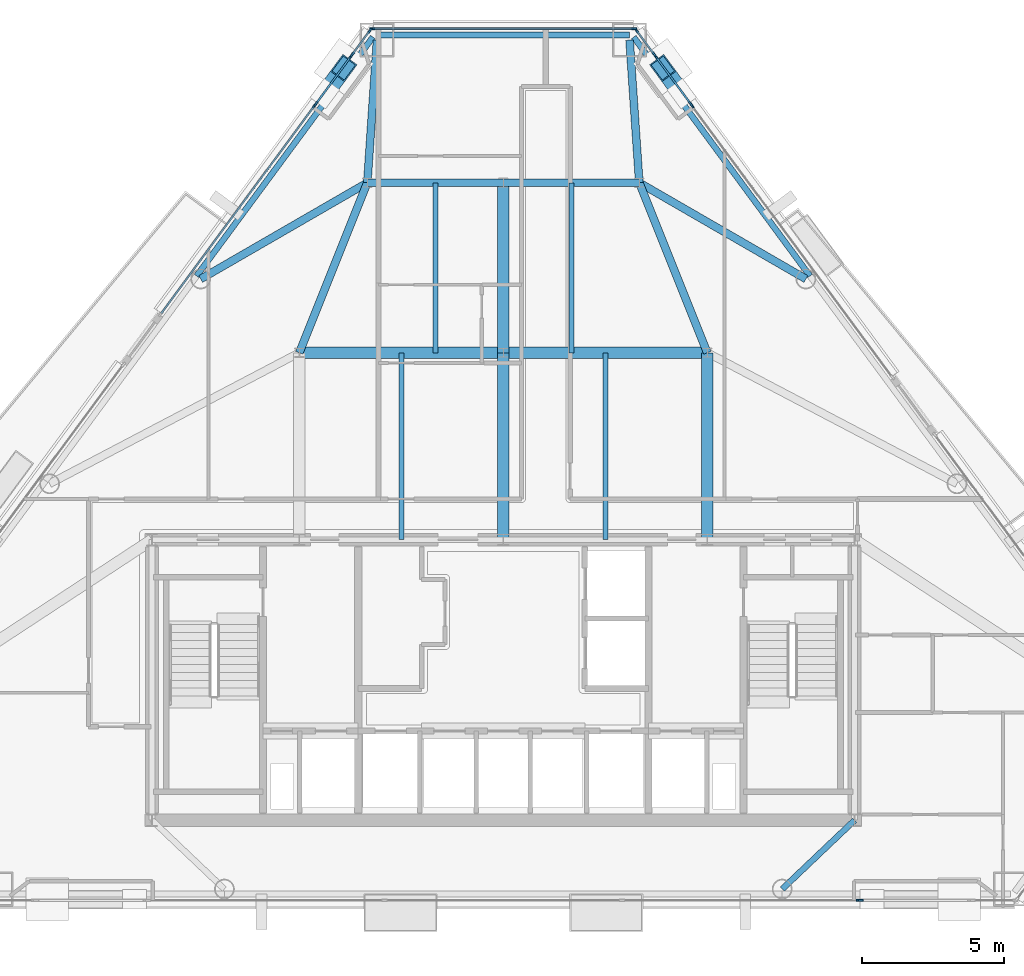
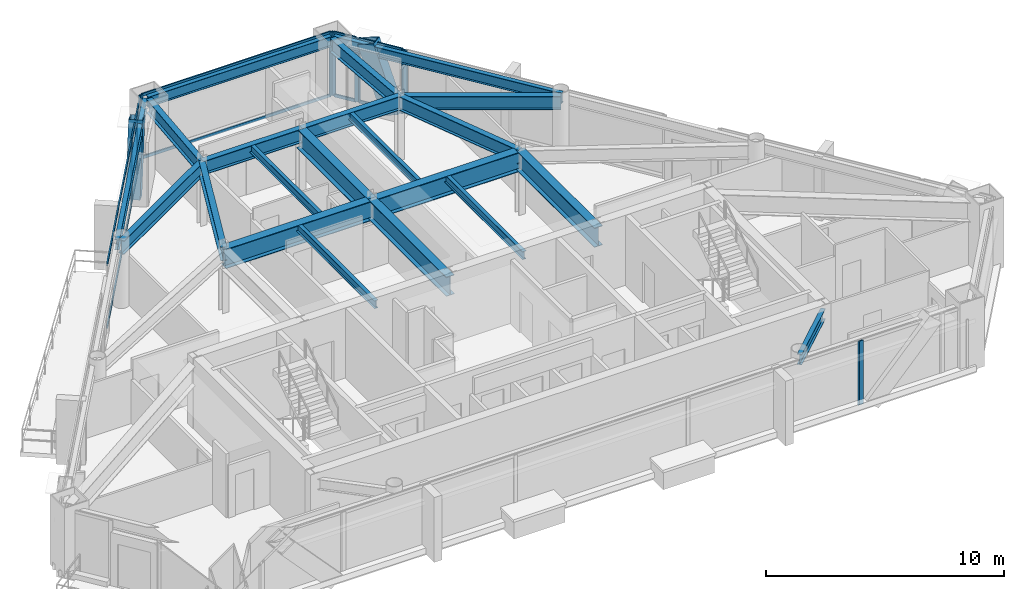
# One storey, part 5 of 12: 28 members, 21 beams, 9 elements without a shape of their own.
"""IFC4 building model written with IfcOpenShell, lengths in metres."""

from ifc_helpers import new_model, si_unit, direction, frame, origin, origin_2d, place, context, subcontext, project, spatial, rectangle, hollow_rectangle, i_section, extrude, material, layer, layer_set, material_profile, profile_set, type_object, element, aggregate, save


model = new_model("IFC4")

# Units and contexts
model_context = context("Model", 3, precision=1e-05, world=origin(), true_north=direction((0.0, 1.0)))
body_context = subcontext(model_context, "Body", "Model", "MODEL_VIEW")
ifc_project = project(units=[si_unit("LENGTHUNIT", "METRE"), si_unit("AREAUNIT", "SQUARE_METRE"), si_unit("VOLUMEUNIT", "CUBIC_METRE"), si_unit("PLANEANGLEUNIT", "RADIAN"), si_unit("MASSUNIT", "GRAM", prefix="KILO")], contexts=[model_context])

# Site, building, storey
site_placement = place(None, origin())
site = spatial("IfcSite", under=ifc_project, at=site_placement, CompositionType="ELEMENT")
building_placement = place(site_placement, origin())
building = spatial("IfcBuilding", under=site, at=building_placement, Name="Talgorran Terracotta Tower", CompositionType="ELEMENT")
storey_placement = place(building_placement, frame((0.0, 0.0, 165.300048828125)))
storey = spatial("IfcBuildingStorey", under=building, at=storey_placement, Name="L43", CompositionType="ELEMENT", Elevation=165.300048828125)

# Beams
ifc_material_1 = material(Name="Steel Grade 350 (350L0)", Category="steel")
ifc_material_profile_1 = material_profile(ifc_material_1, i_section(OverallWidth=0.39990234375, OverallDepth=1.0, WebThickness=0.01611328125, FlangeThickness=0.031005859375, at=origin_2d()), Name="1000WB296")
ifc_profile_set_1 = profile_set([ifc_material_profile_1], Name="Steel Grade 350 (350L0)")
beam_type_1 = type_object("IfcBeamType", Name="BM_1000WB296", PredefinedType="BEAM", material=ifc_profile_set_1)
for number, where, z_axis, x_axis, name in (
    (1, (0.0, -4.199951171875, 2.780029296875), (0.0, 1.0, 0.0), (-1.0, 0.0, 0.0), "L43 Floor Girder G02"),
    (2, (7.199951171875, -4.199951171875, 2.780029296875), (0.0, 1.0, 0.0), (-1.0, 0.0, 0.0), "L43 Floor Girder G03"),
):
    element("IfcBeam", number, at=place(storey_placement, frame(where, z_axis=z_axis, x_axis=x_axis)), inside=storey, type_object=beam_type_1, Name=name, PredefinedType="BEAM", context=body_context, shape_type="SweptSolid", body=[
        extrude(i_section(OverallWidth=0.39990234375, OverallDepth=1.0, WebThickness=0.01611328125, FlangeThickness=0.031005859375, at=origin_2d()), origin(), (0.0, 0.0, 1.0), 6.599853515625),
    ])
for number, where, z_axis, x_axis, name in (
    (3, (-7.199951171875, 2.39990234375, 2.780029296875), (1.0, 0.0, 0.0), (0.0, 1.0, 0.0), "L43 Floor Girder G04"),
    (4, (0.0, 2.39990234375, 2.780029296875), (1.0, 0.0, 0.0), (0.0, 1.0, 0.0), "L43 Floor Girder G05"),
):
    element("IfcBeam", number, at=place(storey_placement, frame(where, z_axis=z_axis, x_axis=x_axis)), inside=storey, type_object=beam_type_1, Name=name, PredefinedType="BEAM", context=body_context, shape_type="SweptSolid", body=[
        extrude(i_section(OverallWidth=0.39990234375, OverallDepth=1.0, WebThickness=0.01611328125, FlangeThickness=0.031005859375, at=origin_2d()), origin(), (0.0, 0.0, 1.0), 7.199951171875),
    ])
beam_1_placement = place(storey_placement, frame((0.0, 2.39990234375, 2.780029296875), z_axis=(0.0, 1.0, 0.0), x_axis=(-1.0, 0.0, 0.0)))
element("IfcBeam", 5, at=beam_1_placement, inside=storey, type_object=beam_type_1, Name="L43 Floor Girder G09", PredefinedType="BEAM", context=body_context, shape_type="SweptSolid", body=[
    extrude(i_section(OverallWidth=0.39990234375, OverallDepth=1.0, WebThickness=0.01611328125, FlangeThickness=0.031005859375, at=origin_2d()), origin(), (0.0, 0.0, 1.0), 6.0),
])
ifc_material_2 = material(Name="Steel S355 (300PLUS)", Category="steel")
ifc_material_profile_2 = material_profile(ifc_material_2, i_section(OverallWidth=0.27490234375, OverallDepth=0.7080078125, WebThickness=0.011962890625, FlangeThickness=0.02490234375, at=origin_2d()), Name="700WB173")
ifc_profile_set_2 = profile_set([ifc_material_profile_2], Name="Steel S355 (300PLUS)")
beam_type_2 = type_object("IfcBeamType", Name="BM_700WB173", PredefinedType="BEAM", material=ifc_profile_set_2)
for number, where, z_axis, x_axis, name in (
    (6, (-7.199951171875, 2.39990234375, 2.926025390625), (0.371377648723, 0.928481901832, 0.0), (-0.928481901832, 0.371377648723, 0.0), "L43 Floor Girder G08"),
    (7, (7.199951171875, 2.39990234375, 2.926025390625), (-0.371377648723, 0.928481901832, 0.0), (-0.928481901832, -0.371377648723, 0.0), "L43 Floor Girder G10"),
):
    element("IfcBeam", number, at=place(storey_placement, frame(where, z_axis=z_axis, x_axis=x_axis)), inside=storey, type_object=beam_type_2, Name=name, PredefinedType="BEAM", context=body_context, shape_type="SweptSolid", body=[
        extrude(i_section(OverallWidth=0.27490234375, OverallDepth=0.7080078125, WebThickness=0.011962890625, FlangeThickness=0.02490234375, at=origin_2d()), origin(), (0.0, 0.0, 1.0), 6.462158203125),
    ])
for number, where, z_axis, x_axis, name in (
    (8, (-4.800048828125, 8.39990234375, 2.926025390625), (1.0, 0.0, 0.0), (0.0, 1.0, 0.0), "L43 Floor Girder G11"),
    (9, (0.0, 8.39990234375, 2.926025390625), (1.0, 0.0, 0.0), (0.0, 1.0, 0.0), "L43 Floor Girder G12"),
):
    element("IfcBeam", number, at=place(storey_placement, frame(where, z_axis=z_axis, x_axis=x_axis)), inside=storey, type_object=beam_type_2, Name=name, PredefinedType="BEAM", context=body_context, shape_type="SweptSolid", body=[
        extrude(i_section(OverallWidth=0.27490234375, OverallDepth=0.7080078125, WebThickness=0.011962890625, FlangeThickness=0.02490234375, at=origin_2d()), origin(), (0.0, 0.0, 1.0), 4.800048828125),
    ])
for number, where, z_axis, x_axis, name in (
    (10, (-4.800048828125, 8.39990234375, 2.926025390625), (-0.865887916747, -0.500238058959, 0.0), (0.500238058959, -0.865887916747, 0.0), "L43 Floor Girder G13"),
    (11, (4.800048828125, 8.39990234375, 2.926025390625), (0.865887916747, -0.500238058959, 0.0), (0.500238058959, 0.865887916747, 0.0), "L43 Floor Girder G14"),
):
    element("IfcBeam", number, at=place(storey_placement, frame(where, z_axis=z_axis, x_axis=x_axis)), inside=storey, type_object=beam_type_2, Name=name, PredefinedType="BEAM", context=body_context, shape_type="SweptSolid", body=[
        extrude(i_section(OverallWidth=0.27490234375, OverallDepth=0.7080078125, WebThickness=0.011962890625, FlangeThickness=0.02490234375, at=origin_2d()), origin(), (0.0, 0.0, 1.0), 6.789794921875),
    ])
for number, where, z_axis, x_axis, name in (
    (12, (-4.800048828125, 8.39990234375, 2.926025390625), (0.067973543266, 0.99768712401, 0.0), (-0.99768712401, 0.067973543266, 0.0), "L43 Floor Girder G15"),
    (13, (4.800048828125, 8.39990234375, 2.926025390625), (-0.067973543266, 0.99768712401, 0.0), (-0.99768712401, -0.067973543266, 0.0), "L43 Floor Girder G16"),
):
    element("IfcBeam", number, at=place(storey_placement, frame(where, z_axis=z_axis, x_axis=x_axis)), inside=storey, type_object=beam_type_2, Name=name, PredefinedType="BEAM", context=body_context, shape_type="SweptSolid", body=[
        extrude(i_section(OverallWidth=0.27490234375, OverallDepth=0.7080078125, WebThickness=0.011962890625, FlangeThickness=0.02490234375, at=origin_2d()), origin(), (0.0, 0.0, 1.0), 5.04638671875),
    ])
ifc_material_profile_3 = material_profile(ifc_material_2, i_section(OverallWidth=0.177734375, OverallDepth=0.406494140625, WebThickness=0.0078125, FlangeThickness=0.0126953125, at=origin_2d()), Name="410UB59.7")
ifc_profile_set_3 = profile_set([ifc_material_profile_3], Name="Steel S355 (300PLUS)")
beam_type_3 = type_object("IfcBeamType", Name="BM_JS_410UB60", PredefinedType="JOIST", material=ifc_profile_set_3)
for number, where, z_axis, x_axis, name in (
    (14, (-3.60009765625, -4.199951171875, 3.07666015625), (0.0, 1.0, 0.0), (-1.0, 0.0, 0.0), "L43 Secondary Joist J01"),
    (15, (3.60009765625, -4.199951171875, 3.07666015625), (0.0, 1.0, 0.0), (-1.0, 0.0, 0.0), "L43 Secondary Joist J02"),
):
    element("IfcBeam", number, at=place(storey_placement, frame(where, z_axis=z_axis, x_axis=x_axis)), inside=storey, type_object=beam_type_3, Name=name, PredefinedType="JOIST", context=body_context, shape_type="SweptSolid", body=[
        extrude(i_section(OverallWidth=0.177734375, OverallDepth=0.406494140625, WebThickness=0.0078125, FlangeThickness=0.0126953125, at=origin_2d()), origin(), (0.0, 0.0, 1.0), 6.599853515625),
    ])
for number, where, z_axis, x_axis, name in (
    (16, (-2.39990234375, 2.39990234375, 3.07666015625), (0.0, 1.0, 0.0), (-1.0, 0.0, 0.0), "L43 Secondary Joist J03"),
    (17, (2.39990234375, 2.39990234375, 3.07666015625), (0.0, 1.0, 0.0), (-1.0, 0.0, 0.0), "L43 Secondary Joist J04"),
):
    element("IfcBeam", number, at=place(storey_placement, frame(where, z_axis=z_axis, x_axis=x_axis)), inside=storey, type_object=beam_type_3, Name=name, PredefinedType="JOIST", context=body_context, shape_type="SweptSolid", body=[
        extrude(i_section(OverallWidth=0.177734375, OverallDepth=0.406494140625, WebThickness=0.0078125, FlangeThickness=0.0126953125, at=origin_2d()), origin(), (0.0, 0.0, 1.0), 6.0),
    ])
ifc_material_profile_4 = material_profile(ifc_material_2, i_section(OverallWidth=0.209228515625, OverallDepth=0.532958984375, WebThickness=0.01025390625, FlangeThickness=0.015625, at=origin_2d()), Name="530UB92.4")
ifc_profile_set_4 = profile_set([ifc_material_profile_4], Name="Steel S355 (300PLUS)")
beam_type_4 = type_object("IfcBeamType", Name="BM_SP_530UB92", PredefinedType="SPANDREL", material=ifc_profile_set_4)
beam_2_placement = place(storey_placement, frame((10.823974609375, 5.1103515625, 3.013427734375), z_axis=(-0.593801302641, 0.804611715663, 0.0), x_axis=(-0.804611715663, -0.593801302641, 0.0)))
element("IfcBeam", 18, at=beam_2_placement, inside=storey, type_object=beam_type_4, Name="L43 Perimeter Spandrel Beam FC4-MC5", PredefinedType="SPANDREL", context=body_context, shape_type="SweptSolid", body=[
    extrude(i_section(OverallWidth=0.209228515625, OverallDepth=0.532958984375, WebThickness=0.01025390625, FlangeThickness=0.015625, at=origin_2d()), origin(), (0.0, 0.0, 1.0), 10.478515625),
])
beam_3_placement = place(storey_placement, frame((4.45703125, 13.614501953125, 3.013427734375), z_axis=(-1.0, 0.0, 0.0), x_axis=(0.0, -1.0, 0.0)))
element("IfcBeam", 19, at=beam_3_placement, inside=storey, type_object=beam_type_4, Name="L43 Perimeter Spandrel Beam MC5-MC6", PredefinedType="SPANDREL", context=body_context, shape_type="SweptSolid", body=[
    extrude(i_section(OverallWidth=0.209228515625, OverallDepth=0.532958984375, WebThickness=0.01025390625, FlangeThickness=0.015625, at=origin_2d()), origin(), (0.0, 0.0, 1.0), 8.9140625),
])
beam_4_placement = place(storey_placement, frame((-4.601806640625, 13.54150390625, 3.013427734375), z_axis=(-0.593801302641, -0.804611715663, 0.0), x_axis=(0.804611715663, -0.593801302641, 0.0)))
element("IfcBeam", 20, at=beam_4_placement, inside=storey, type_object=beam_type_4, Name="L43 Perimeter Spandrel Beam MC6-FC5", PredefinedType="SPANDREL", context=body_context, shape_type="SweptSolid", body=[
    extrude(i_section(OverallWidth=0.209228515625, OverallDepth=0.532958984375, WebThickness=0.01025390625, FlangeThickness=0.015625, at=origin_2d()), origin(), (0.0, 0.0, 1.0), 10.478515625),
])
beam_5_placement = place(storey_placement, frame((12.39990234375, -14.10009765625, 3.013427734375), z_axis=(-0.724741849636, -0.689020501426, 0.0), x_axis=(0.689020501426, -0.724741849636, 0.0)))
element("IfcBeam", 21, at=beam_5_placement, inside=storey, type_object=beam_type_4, Name="L43 South-East Core Tie Beam", PredefinedType="SPANDREL", context=body_context, shape_type="SweptSolid", body=[
    extrude(i_section(OverallWidth=0.209228515625, OverallDepth=0.532958984375, WebThickness=0.01025390625, FlangeThickness=0.015625, at=origin_2d()), origin(), (0.0, 0.0, 1.0), 3.526611328125),
])

# Members
ifc_material_profile_5 = material_profile(ifc_material_1, hollow_rectangle(XDim=0.6201171875, YDim=0.780029296875, WallThickness=0.0419921875, at=origin_2d()), Name="WBOX780X620X42")
ifc_profile_set_5 = profile_set([ifc_material_profile_5], Name="Steel Grade 350 (350L0)")
member_type_1 = type_object("IfcMemberType", Name="MB_MEGA_780", PredefinedType="BRACE", material=ifc_profile_set_5)
for number, where, z_axis, x_axis, name in (
    (22, (6.298583984375, 11.54541015625, -0.025146484375), (-0.189910857035, 0.257359080217, 0.947470405981), (-0.80464078172, -0.59376191558, 0.0), "L43 Exterior Face Mega-Brace MB-2 (NEU)"),
    (23, (-6.298583984375, 11.54541015625, -0.025146484375), (0.189910857035, 0.257359080217, 0.947470405981), (-0.80464078172, 0.59376191558, 0.0), "L43 Exterior Face Mega-Brace MB-2 (NWU)"),
):
    element("IfcMember", number, at=place(storey_placement, frame(where, z_axis=z_axis, x_axis=x_axis)), inside=storey, type_object=member_type_1, Name=name, PredefinedType="BRACE", context=body_context, shape_type="SweptSolid", body=[
        extrude(hollow_rectangle(XDim=0.6201171875, YDim=0.780029296875, WallThickness=0.0419921875, at=origin_2d()), origin(), (0.0, 0.0, 1.0), 3.5146484375),
    ])

# Curtain wall, member
ifc_material_3 = material(Name="Unitised Low-E Double Glazing", Category="glass")
ifc_layer = layer(ifc_material_3, 0.199951171875, Name="CW_SYS2_RES_LOW")
ifc_layer_set = layer_set([ifc_layer], Name="Unitised Low-E Double Glazing")
curtain_wall_type = type_object("IfcCurtainWallType", Name="CW_SYS2_RES_LOW", PredefinedType="NOTDEFINED", material=ifc_layer_set)
curtain_wall_1_placement = place(storey_placement, origin())
curtain_wall_1 = element("IfcCurtainWall", 24, at=curtain_wall_1_placement, inside=storey, type_object=curtain_wall_type, Name="CW-L43-F1C", PredefinedType="NOTDEFINED")
ifc_material_4 = material(Name="Architectural Aluminium 6063-T6", Category="aluminium")
ifc_material_profile_6 = material_profile(ifc_material_4, rectangle(XDim=0.06494140625, YDim=0.18505859375, at=origin_2d()), Name="CWM65X185")
ifc_profile_set_6 = profile_set([ifc_material_profile_6], Name="Architectural Aluminium 6063-T6")
member_type_2 = type_object("IfcMemberType", Name="MUL_65X185", PredefinedType="MULLION", material=ifc_profile_set_6)
member_1_placement = place(storey_placement, frame((12.54345703125, -16.929931640625, 0.0), z_axis=(0.0, 0.0, 1.0), x_axis=(0.0, 1.0, 0.0)))
member_1 = element("IfcMember", 25, at=member_1_placement, type_object=member_type_2, Name="CW-L43-1C mullion 4", PredefinedType="MULLION", context=body_context, shape_type="SweptSolid", body=[
    extrude(rectangle(XDim=0.06494140625, YDim=0.18505859375, at=origin_2d()), origin(), (0.0, 0.0, 1.0), 3.280029296875),
])
aggregate(curtain_wall_1, [member_1])

curtain_wall_2_placement = place(storey_placement, origin())
curtain_wall_2 = element("IfcCurtainWall", 26, at=curtain_wall_2_placement, inside=storey, type_object=curtain_wall_type, Name="CW-L43-F1D", PredefinedType="NOTDEFINED")
member_2_placement = place(storey_placement, frame((12.618408203125, -16.929931640625, 0.0), z_axis=(0.0, 0.0, 1.0), x_axis=(0.0, 1.0, 0.0)))
member_2 = element("IfcMember", 27, at=member_2_placement, type_object=member_type_2, Name="CW-L43-1D mullion 1", PredefinedType="MULLION", context=body_context, shape_type="SweptSolid", body=[
    extrude(rectangle(XDim=0.06494140625, YDim=0.18505859375, at=origin_2d()), origin(), (0.0, 0.0, 1.0), 3.280029296875),
])
aggregate(curtain_wall_2, [member_2])

curtain_wall_3_placement = place(storey_placement, origin())
curtain_wall_3 = element("IfcCurtainWall", 28, at=curtain_wall_3_placement, inside=storey, type_object=curtain_wall_type, Name="CW-L43-F41", PredefinedType="NOTDEFINED")
member_3_placement = place(storey_placement, frame((6.66162109375, 11.120849609375, 0.0), z_axis=(0.0, 0.0, 1.0), x_axis=(-0.804624135428, -0.593784473262, 0.0)))
member_3 = element("IfcMember", 29, at=member_3_placement, type_object=member_type_2, Name="CW-L43-41 mullion 2", PredefinedType="MULLION", context=body_context, shape_type="SweptSolid", body=[
    extrude(rectangle(XDim=0.06494140625, YDim=0.18505859375, at=origin_2d()), origin(), (0.0, 0.0, 1.0), 3.280029296875),
])
aggregate(curtain_wall_3, [member_3])

# Curtain wall, members
curtain_wall_4_placement = place(storey_placement, origin())
curtain_wall_4 = element("IfcCurtainWall", 30, at=curtain_wall_4_placement, inside=storey, type_object=curtain_wall_type, Name="CW-L43-F41B", PredefinedType="NOTDEFINED")
member_4_placement = place(storey_placement, frame((6.6171875, 11.18115234375, 0.0), z_axis=(0.0, 0.0, 1.0), x_axis=(-0.804623738019, -0.593785011781, 0.0)))
member_4 = element("IfcMember", 31, at=member_4_placement, type_object=member_type_2, Name="CW-L43-41B mullion 1", PredefinedType="MULLION", context=body_context, shape_type="SweptSolid", body=[
    extrude(rectangle(XDim=0.06494140625, YDim=0.18505859375, at=origin_2d()), origin(), (0.0, 0.0, 1.0), 3.280029296875),
])
member_5_placement = place(storey_placement, frame((5.377197265625, 12.861572265625, 0.0), z_axis=(0.0, 0.0, 1.0), x_axis=(-0.804623738019, -0.593785011781, 0.0)))
member_5 = element("IfcMember", 32, at=member_5_placement, type_object=member_type_2, Name="CW-L43-41B mullion 2", PredefinedType="MULLION", context=body_context, shape_type="SweptSolid", body=[
    extrude(rectangle(XDim=0.06494140625, YDim=0.18505859375, at=origin_2d()), origin(), (0.0, 0.0, 1.0), 3.280029296875),
])

curtain_wall_5_placement = place(storey_placement, origin())
curtain_wall_5 = element("IfcCurtainWall", 33, at=curtain_wall_5_placement, inside=storey, type_object=curtain_wall_type, Name="CW-L43-F41C", PredefinedType="NOTDEFINED")
member_6_placement = place(storey_placement, frame((5.33251953125, 12.921875, 0.0), z_axis=(0.0, 0.0, 1.0), x_axis=(-0.804629601287, -0.593777066526, 0.0)))
member_6 = element("IfcMember", 34, at=member_6_placement, type_object=member_type_2, Name="CW-L43-41C mullion 1", PredefinedType="MULLION", context=body_context, shape_type="SweptSolid", body=[
    extrude(rectangle(XDim=0.06494140625, YDim=0.18505859375, at=origin_2d()), origin(), (0.0, 0.0, 1.0), 3.280029296875),
])
member_7_placement = place(storey_placement, frame((4.7021484375, 13.7763671875, 0.0), z_axis=(0.0, 0.0, 1.0), x_axis=(-0.804629601287, -0.593777066526, 0.0)))
member_7 = element("IfcMember", 35, at=member_7_placement, type_object=member_type_2, Name="CW-L43-41C mullion 2", PredefinedType="MULLION", context=body_context, shape_type="SweptSolid", body=[
    extrude(rectangle(XDim=0.06494140625, YDim=0.18505859375, at=origin_2d()), origin(), (0.0, 0.0, 1.0), 3.280029296875),
])

curtain_wall_6_placement = place(storey_placement, origin())
curtain_wall_6 = element("IfcCurtainWall", 36, at=curtain_wall_6_placement, inside=storey, type_object=curtain_wall_type, Name="CW-L43-F4", PredefinedType="NOTDEFINED")
member_8_placement = place(storey_placement, frame((4.62646484375, 13.834716796875, 0.0), z_axis=(0.0, 0.0, 1.0), x_axis=(0.0, -1.0, 0.0)))
member_8 = element("IfcMember", 37, at=member_8_placement, type_object=member_type_2, Name="CW-L43-4 mullion 1", PredefinedType="MULLION", context=body_context, shape_type="SweptSolid", body=[
    extrude(rectangle(XDim=0.06494140625, YDim=0.18505859375, at=origin_2d()), origin(), (0.0, 0.0, 1.0), 3.280029296875),
])
member_9_placement = place(storey_placement, frame((-4.62646484375, 13.834716796875, 0.0), z_axis=(0.0, 0.0, 1.0), x_axis=(0.0, -1.0, 0.0)))
member_9 = element("IfcMember", 38, at=member_9_placement, type_object=member_type_2, Name="CW-L43-4 mullion 2", PredefinedType="MULLION", context=body_context, shape_type="SweptSolid", body=[
    extrude(rectangle(XDim=0.06494140625, YDim=0.18505859375, at=origin_2d()), origin(), (0.0, 0.0, 1.0), 3.280029296875),
])

curtain_wall_7_placement = place(storey_placement, origin())
curtain_wall_7 = element("IfcCurtainWall", 39, at=curtain_wall_7_placement, inside=storey, type_object=curtain_wall_type, Name="CW-L43-F60", PredefinedType="NOTDEFINED")
member_10_placement = place(storey_placement, frame((-4.7021484375, 13.7763671875, 0.0), z_axis=(0.0, 0.0, 1.0), x_axis=(0.804629601287, -0.593777066526, 0.0)))
member_10 = element("IfcMember", 40, at=member_10_placement, type_object=member_type_2, Name="CW-L43-60 mullion 1", PredefinedType="MULLION", context=body_context, shape_type="SweptSolid", body=[
    extrude(rectangle(XDim=0.06494140625, YDim=0.18505859375, at=origin_2d()), origin(), (0.0, 0.0, 1.0), 3.280029296875),
])
member_11_placement = place(storey_placement, frame((-5.33251953125, 12.921875, 0.0), z_axis=(0.0, 0.0, 1.0), x_axis=(0.804629601287, -0.593777066526, 0.0)))
member_11 = element("IfcMember", 41, at=member_11_placement, type_object=member_type_2, Name="CW-L43-60 mullion 2", PredefinedType="MULLION", context=body_context, shape_type="SweptSolid", body=[
    extrude(rectangle(XDim=0.06494140625, YDim=0.18505859375, at=origin_2d()), origin(), (0.0, 0.0, 1.0), 3.280029296875),
])

curtain_wall_8_placement = place(storey_placement, origin())
curtain_wall_8 = element("IfcCurtainWall", 42, at=curtain_wall_8_placement, inside=storey, type_object=curtain_wall_type, Name="CW-L43-F60B", PredefinedType="NOTDEFINED")
member_12_placement = place(storey_placement, frame((-5.377197265625, 12.861572265625, 0.0), z_axis=(0.0, 0.0, 1.0), x_axis=(0.804623738019, -0.593785011781, 0.0)))
member_12 = element("IfcMember", 43, at=member_12_placement, type_object=member_type_2, Name="CW-L43-60B mullion 1", PredefinedType="MULLION", context=body_context, shape_type="SweptSolid", body=[
    extrude(rectangle(XDim=0.06494140625, YDim=0.18505859375, at=origin_2d()), origin(), (0.0, 0.0, 1.0), 3.280029296875),
])
member_13_placement = place(storey_placement, frame((-6.6171875, 11.18115234375, 0.0), z_axis=(0.0, 0.0, 1.0), x_axis=(0.804623738019, -0.593785011781, 0.0)))
member_13 = element("IfcMember", 44, at=member_13_placement, type_object=member_type_2, Name="CW-L43-60B mullion 2", PredefinedType="MULLION", context=body_context, shape_type="SweptSolid", body=[
    extrude(rectangle(XDim=0.06494140625, YDim=0.18505859375, at=origin_2d()), origin(), (0.0, 0.0, 1.0), 3.280029296875),
])

# Curtain wall, member
curtain_wall_9_placement = place(storey_placement, origin())
curtain_wall_9 = element("IfcCurtainWall", 45, at=curtain_wall_9_placement, inside=storey, type_object=curtain_wall_type, Name="CW-L43-F60C", PredefinedType="NOTDEFINED")
member_14_placement = place(storey_placement, frame((-6.66162109375, 11.120849609375, 0.0), z_axis=(0.0, 0.0, 1.0), x_axis=(0.804623997397, -0.593784660305, 0.0)))
member_14 = element("IfcMember", 46, at=member_14_placement, type_object=member_type_2, Name="CW-L43-60C mullion 1", PredefinedType="MULLION", context=body_context, shape_type="SweptSolid", body=[
    extrude(rectangle(XDim=0.06494140625, YDim=0.18505859375, at=origin_2d()), origin(), (0.0, 0.0, 1.0), 3.280029296875),
])

# Member
ifc_material_profile_7 = material_profile(ifc_material_4, rectangle(XDim=0.06494140625, YDim=0.14990234375, at=origin_2d()), Name="CWT65X150")
ifc_profile_set_7 = profile_set([ifc_material_profile_7], Name="Architectural Aluminium 6063-T6")
member_type_3 = type_object("IfcMemberType", Name="TRN_65X150", PredefinedType="USERDEFINED", material=ifc_profile_set_7)
member_15_placement = place(storey_placement, frame((6.597900390625, 11.20751953125, 0.032470703125), z_axis=(-0.593803940269, 0.804609769094, 0.0), x_axis=(-0.804609769094, -0.593803940269, 0.0)))
member_15 = element("IfcMember", 47, at=member_15_placement, type_object=member_type_3, Name="CW-L43-41B transom 1.1", ObjectType="TRANSOM", PredefinedType="USERDEFINED", context=body_context, shape_type="SweptSolid", body=[
    extrude(rectangle(XDim=0.06494140625, YDim=0.14990234375, at=origin_2d()), origin(), (0.0, 0.0, 1.0), 2.023193359375),
])

member_16_placement = place(storey_placement, frame((6.597900390625, 11.20751953125, 3.24755859375), z_axis=(-0.593803940269, 0.804609769094, 0.0), x_axis=(-0.804609769094, -0.593803940269, 0.0)))
member_16 = element("IfcMember", 48, at=member_16_placement, type_object=member_type_3, Name="CW-L43-41B transom 1.2", ObjectType="TRANSOM", PredefinedType="USERDEFINED", context=body_context, shape_type="SweptSolid", body=[
    extrude(rectangle(XDim=0.06494140625, YDim=0.14990234375, at=origin_2d()), origin(), (0.0, 0.0, 1.0), 2.023193359375),
])

aggregate(curtain_wall_4, [member_4, member_5, member_15, member_16])

member_17_placement = place(storey_placement, frame((5.313232421875, 12.947998046875, 0.032470703125), z_axis=(-0.593750358364, 0.804649309912, 0.0), x_axis=(-0.804649309912, -0.593750358364, 0.0)))
member_17 = element("IfcMember", 49, at=member_17_placement, type_object=member_type_3, Name="CW-L43-41C transom 1.1", ObjectType="TRANSOM", PredefinedType="USERDEFINED", context=body_context, shape_type="SweptSolid", body=[
    extrude(rectangle(XDim=0.06494140625, YDim=0.14990234375, at=origin_2d()), origin(), (0.0, 0.0, 1.0), 0.996826171875),
])

member_18_placement = place(storey_placement, frame((5.313232421875, 12.947998046875, 3.24755859375), z_axis=(-0.593750358364, 0.804649309912, 0.0), x_axis=(-0.804649309912, -0.593750358364, 0.0)))
member_18 = element("IfcMember", 50, at=member_18_placement, type_object=member_type_3, Name="CW-L43-41C transom 1.2", ObjectType="TRANSOM", PredefinedType="USERDEFINED", context=body_context, shape_type="SweptSolid", body=[
    extrude(rectangle(XDim=0.06494140625, YDim=0.14990234375, at=origin_2d()), origin(), (0.0, 0.0, 1.0), 0.996826171875),
])

aggregate(curtain_wall_5, [member_6, member_7, member_17, member_18])

member_19_placement = place(storey_placement, frame((4.593994140625, 13.834716796875, 0.032470703125), z_axis=(-1.0, 0.0, 0.0), x_axis=(0.0, -1.0, 0.0)))
member_19 = element("IfcMember", 51, at=member_19_placement, type_object=member_type_3, Name="CW-L43-4 transom 1.1", ObjectType="TRANSOM", PredefinedType="USERDEFINED", context=body_context, shape_type="SweptSolid", body=[
    extrude(rectangle(XDim=0.06494140625, YDim=0.14990234375, at=origin_2d()), origin(), (0.0, 0.0, 1.0), 9.18798828125),
])

member_20_placement = place(storey_placement, frame((4.593994140625, 13.834716796875, 3.24755859375), z_axis=(-1.0, 0.0, 0.0), x_axis=(0.0, -1.0, 0.0)))
member_20 = element("IfcMember", 52, at=member_20_placement, type_object=member_type_3, Name="CW-L43-4 transom 1.2", ObjectType="TRANSOM", PredefinedType="USERDEFINED", context=body_context, shape_type="SweptSolid", body=[
    extrude(rectangle(XDim=0.06494140625, YDim=0.14990234375, at=origin_2d()), origin(), (0.0, 0.0, 1.0), 9.18798828125),
])

aggregate(curtain_wall_6, [member_8, member_9, member_19, member_20])

member_21_placement = place(storey_placement, frame((-4.721435546875, 13.75, 0.032470703125), z_axis=(-0.593750358364, -0.804649309912, 0.0), x_axis=(0.804649309912, -0.593750358364, 0.0)))
member_21 = element("IfcMember", 53, at=member_21_placement, type_object=member_type_3, Name="CW-L43-60 transom 1.1", ObjectType="TRANSOM", PredefinedType="USERDEFINED", context=body_context, shape_type="SweptSolid", body=[
    extrude(rectangle(XDim=0.06494140625, YDim=0.14990234375, at=origin_2d()), origin(), (0.0, 0.0, 1.0), 0.996826171875),
])

member_22_placement = place(storey_placement, frame((-4.721435546875, 13.75, 3.24755859375), z_axis=(-0.593750358364, -0.804649309912, 0.0), x_axis=(0.804649309912, -0.593750358364, 0.0)))
member_22 = element("IfcMember", 54, at=member_22_placement, type_object=member_type_3, Name="CW-L43-60 transom 1.2", ObjectType="TRANSOM", PredefinedType="USERDEFINED", context=body_context, shape_type="SweptSolid", body=[
    extrude(rectangle(XDim=0.06494140625, YDim=0.14990234375, at=origin_2d()), origin(), (0.0, 0.0, 1.0), 0.996826171875),
])

aggregate(curtain_wall_7, [member_10, member_11, member_21, member_22])

member_23_placement = place(storey_placement, frame((-5.396484375, 12.83544921875, 0.032470703125), z_axis=(-0.593803940269, -0.804609769094, 0.0), x_axis=(0.804609769094, -0.593803940269, 0.0)))
member_23 = element("IfcMember", 55, at=member_23_placement, type_object=member_type_3, Name="CW-L43-60B transom 1.1", ObjectType="TRANSOM", PredefinedType="USERDEFINED", context=body_context, shape_type="SweptSolid", body=[
    extrude(rectangle(XDim=0.06494140625, YDim=0.14990234375, at=origin_2d()), origin(), (0.0, 0.0, 1.0), 2.023193359375),
])

member_24_placement = place(storey_placement, frame((-5.396484375, 12.83544921875, 3.24755859375), z_axis=(-0.593803940269, -0.804609769094, 0.0), x_axis=(0.804609769094, -0.593803940269, 0.0)))
member_24 = element("IfcMember", 56, at=member_24_placement, type_object=member_type_3, Name="CW-L43-60B transom 1.2", ObjectType="TRANSOM", PredefinedType="USERDEFINED", context=body_context, shape_type="SweptSolid", body=[
    extrude(rectangle(XDim=0.06494140625, YDim=0.14990234375, at=origin_2d()), origin(), (0.0, 0.0, 1.0), 2.023193359375),
])

aggregate(curtain_wall_8, [member_12, member_13, member_23, member_24])

member_25_placement = place(storey_placement, frame((-6.680908203125, 11.0947265625, 0.032470703125), z_axis=(-0.593793426319, -0.804617528308, 0.0), x_axis=(0.804617528308, -0.593793426319, 0.0)))
member_25 = element("IfcMember", 57, at=member_25_placement, type_object=member_type_3, Name="CW-L43-60C transom 1.1", ObjectType="TRANSOM", PredefinedType="USERDEFINED", context=body_context, shape_type="SweptSolid", body=[
    extrude(rectangle(XDim=0.06494140625, YDim=0.14990234375, at=origin_2d()), origin(), (0.0, 0.0, 1.0), 9.07666015625),
])

member_26_placement = place(storey_placement, frame((-6.680908203125, 11.0947265625, 3.24755859375), z_axis=(-0.593793426319, -0.804617528308, 0.0), x_axis=(0.804617528308, -0.593793426319, 0.0)))
member_26 = element("IfcMember", 58, at=member_26_placement, type_object=member_type_3, Name="CW-L43-60C transom 1.2", ObjectType="TRANSOM", PredefinedType="USERDEFINED", context=body_context, shape_type="SweptSolid", body=[
    extrude(rectangle(XDim=0.06494140625, YDim=0.14990234375, at=origin_2d()), origin(), (0.0, 0.0, 1.0), 9.07666015625),
])

aggregate(curtain_wall_9, [member_14, member_25, member_26])

save(model, "model.ifc")
